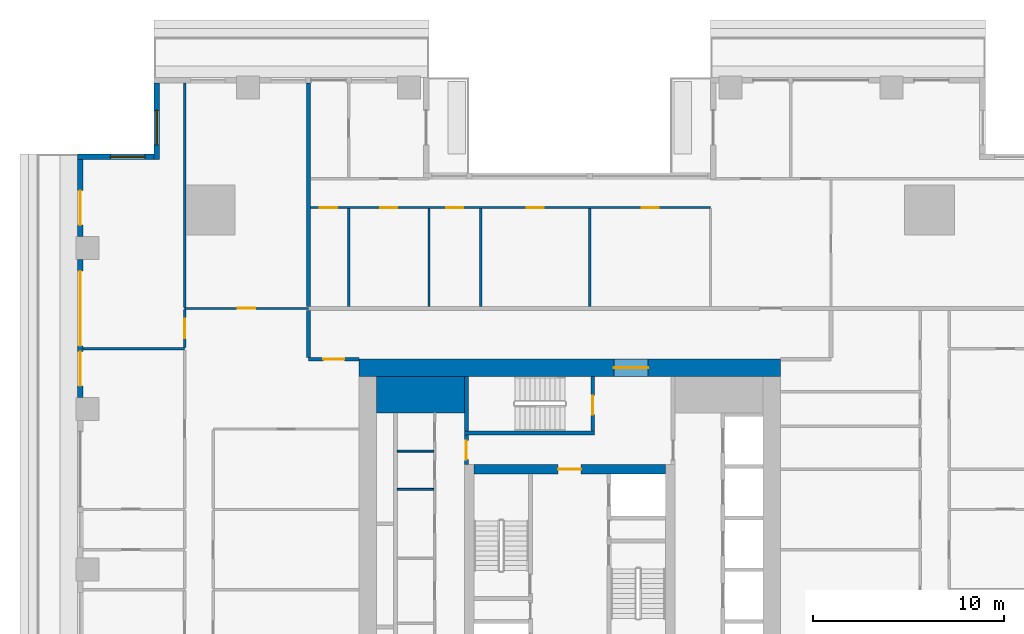
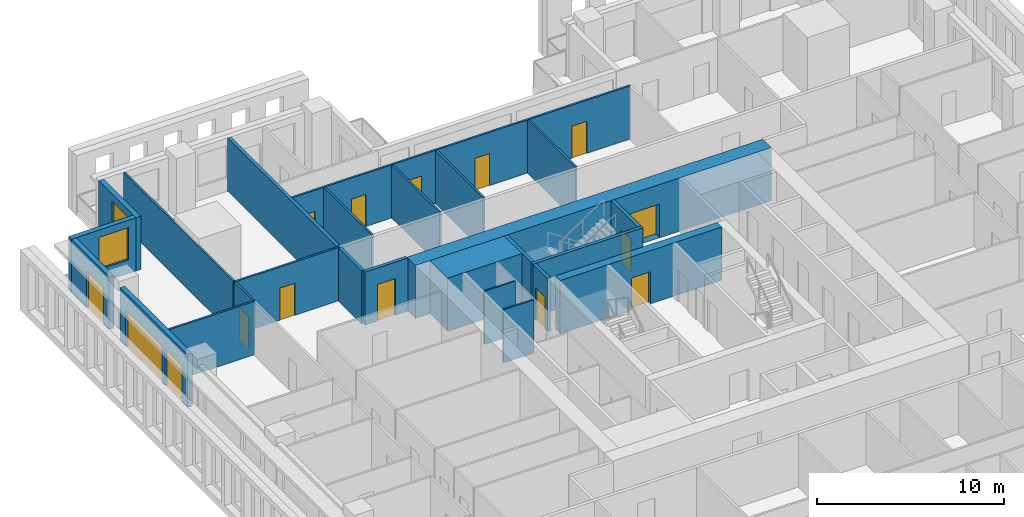
# One storey, part 7 of 16: 25 walls, 15 doors, 2 windows, 17 openings.
"""IFC4 building model written with IfcOpenShell, lengths in metres."""

from ifc_helpers import new_model, si_unit, direction, frame, frame_2d, origin, place, context, subcontext, project, spatial, rectangle, extrude, material, layer, layer_set, type_object, element, fill, save


model = new_model("IFC4")

# Units and contexts
model_context = context("Model", 3, precision=1e-05, world=origin(), true_north=direction((0.0, 1.0)))
body_context = subcontext(model_context, "Body", "Model", "MODEL_VIEW")
ifc_project = project(units=[si_unit("LENGTHUNIT", "METRE"), si_unit("AREAUNIT", "SQUARE_METRE"), si_unit("VOLUMEUNIT", "CUBIC_METRE"), si_unit("PLANEANGLEUNIT", "RADIAN"), si_unit("MASSUNIT", "GRAM", prefix="KILO")], contexts=[model_context])

# Site, building, storey
site_placement = place(None, origin())
site = spatial("IfcSite", under=ifc_project, at=site_placement, CompositionType="ELEMENT")
building_placement = place(site_placement, origin())
building = spatial("IfcBuilding", under=site, at=building_placement, Name="Khepri Terraces", CompositionType="ELEMENT")
storey_placement = place(building_placement, frame((0.0, 0.0, 149.39990234375)))
storey = spatial("IfcBuildingStorey", under=building, at=storey_placement, Name="L35", CompositionType="ELEMENT", Elevation=149.39990234375)

# Walls
ifc_material_1 = material(Name="Concrete C60/75", Category="concrete")
ifc_layer_1 = layer(ifc_material_1, 1.89990234375, Name="Concrete C60/75", Category="concrete")
ifc_layer_set_1 = layer_set([ifc_layer_1], Name="Concrete C60/75")
wall_type_1 = type_object("IfcWallType", Name="Core wall 1900 C60/75", PredefinedType="SHEAR", material=ifc_layer_set_1)
wall_1_placement = place(storey_placement, frame((-10.10009765625, 9.14990234375, 0.0), z_axis=(0.0, 0.0, 1.0), x_axis=(1.0, 0.0, 0.0)))
element("IfcWall", 1, at=wall_1_placement, inside=storey, type_object=wall_type_1, Name="Core wall PR03 L35", PredefinedType="SHEAR", context=body_context, shape_type="SweptSolid", body=[
    extrude(rectangle(XDim=4.60009765625, YDim=1.89990234375, at=frame_2d((2.300048828125, 0.0))), origin(), (0.0, 0.0, 1.0), 3.47998046875),
])
ifc_layer_2 = layer(ifc_material_1, 0.199951171875, Name="Concrete C60/75", Category="concrete")
ifc_layer_set_2 = layer_set([ifc_layer_2], Name="Concrete C60/75")
wall_type_2 = type_object("IfcWallType", Name="Core wall 200 C60/75", PredefinedType="SHEAR", material=ifc_layer_set_2)
wall_2_placement = place(storey_placement, frame((-5.5, 7.14990234375, 0.0), z_axis=(0.0, 0.0, 1.0), x_axis=(1.0, 0.0, 0.0)))
element("IfcWall", 2, at=wall_2_placement, inside=storey, type_object=wall_type_2, Name="Core wall ST05 L35", PredefinedType="SHEAR", context=body_context, shape_type="SweptSolid", body=[
    extrude(rectangle(XDim=6.800048828125, YDim=0.199951171875, at=frame_2d((3.39990234375, 0.0))), origin(), (0.0, 0.0, 1.0), 3.47998046875),
])
wall_3_placement = place(storey_placement, frame((-5.39990234375, 7.25, 0.0), z_axis=(0.0, 0.0, 1.0), x_axis=(0.0, 1.0, 0.0)))
element("IfcWall", 3, at=wall_3_placement, inside=storey, type_object=wall_type_2, Name="Core wall ST06 L35", PredefinedType="SHEAR", context=body_context, shape_type="SweptSolid", body=[
    extrude(rectangle(XDim=2.85009765625, YDim=0.199951171875, at=frame_2d((1.425048828125, 0.0))), origin(), (0.0, 0.0, 1.0), 3.47998046875),
])

# Wall, opening, door
wall_4_placement = place(storey_placement, frame((1.199951171875, 7.25, 0.0), z_axis=(0.0, 0.0, 1.0), x_axis=(0.0, 1.0, 0.0)))
wall_4 = element("IfcWall", 4, at=wall_4_placement, inside=storey, type_object=wall_type_2, Name="Core wall ST07 L35", PredefinedType="SHEAR", context=body_context, shape_type="SweptSolid", body=[
    extrude(rectangle(XDim=2.85009765625, YDim=0.199951171875, at=frame_2d((1.425048828125, 0.0))), origin(), (0.0, 0.0, 1.0), 3.47998046875),
])
opening_1_placement = place(wall_4_placement, frame((0.85009765625, 0.0, 0.0)))
opening_1 = element("IfcOpeningElement", 5, at=opening_1_placement, cuts=wall_4, Name="Opening L35-C15", PredefinedType="OPENING", context=body_context, shape_type="SweptSolid", body=[
    extrude(rectangle(XDim=1.0, YDim=2.10009765625, at=frame_2d((0.5, 1.050048828125))), frame((0.0, 0.10986328125, 0.0), z_axis=(0.0, -1.0, 0.0), x_axis=(1.0, 0.0, 0.0)), (0.0, 0.0, 1.0), 0.219970703125),
])
ifc_material_2 = material(Name="Painted steel", Category="steel")
door_type_1 = type_object("IfcDoorType", Name="DR-CORE-STAIR-1000", OperationType="NOTDEFINED", PredefinedType="DOOR", material=ifc_material_2)
door_1_placement = place(opening_1_placement, origin())
door_1 = element("IfcDoor", 6, at=door_1_placement, inside=storey, type_object=door_type_1, Name="Stair door L35-C15", OperationType="SINGLE_SWING_LEFT", OverallHeight=2.10009765625, OverallWidth=1.0, PredefinedType="DOOR", context=body_context, shape_type="SweptSolid", body=[
    extrude(rectangle(XDim=1.0, YDim=2.10009765625, at=frame_2d((0.5, 1.050048828125))), frame((0.0, 0.02490234375, 0.0), z_axis=(0.0, -1.0, 0.0), x_axis=(1.0, 0.0, 0.0)), (0.0, 0.0, 1.0), 0.050048828125),
])
fill(opening_1, door_1)

ifc_layer_3 = layer(ifc_material_1, 0.5, Name="Concrete C60/75", Category="concrete")
ifc_layer_set_3 = layer_set([ifc_layer_3], Name="Concrete C60/75")
wall_type_3 = type_object("IfcWallType", Name="Core wall 500 C60/75", PredefinedType="SHEAR", material=ifc_layer_set_3)
wall_5_placement = place(storey_placement, frame((-5.0, 5.25, 0.0), z_axis=(0.0, 0.0, 1.0), x_axis=(1.0, 0.0, 0.0)))
wall_5 = element("IfcWall", 7, at=wall_5_placement, inside=storey, type_object=wall_type_3, Name="Core wall BX04 L35", PredefinedType="SHEAR", context=body_context, shape_type="SweptSolid", body=[
    extrude(rectangle(XDim=10.0, YDim=0.5, at=frame_2d((5.0, 0.0))), origin(), (0.0, 0.0, 1.0), 3.47998046875),
])
opening_2_placement = place(wall_5_placement, frame((4.39990234375, 0.0, 0.0)))
opening_2 = element("IfcOpeningElement", 8, at=opening_2_placement, cuts=wall_5, Name="Opening L35-C13", PredefinedType="OPENING", context=body_context, shape_type="SweptSolid", body=[
    extrude(rectangle(XDim=1.199951171875, YDim=2.10009765625, at=frame_2d((0.60009765625, 1.050048828125))), frame((0.0, 0.260009765625, 0.0), z_axis=(0.0, -1.0, 0.0), x_axis=(1.0, 0.0, 0.0)), (0.0, 0.0, 1.0), 0.52001953125),
])
door_type_2 = type_object("IfcDoorType", Name="DR-CORE-FF-LOBBY-1200", OperationType="NOTDEFINED", PredefinedType="DOOR", material=ifc_material_2)
door_2_placement = place(opening_2_placement, frame((1.199951171875, 0.0, 0.0), z_axis=(0.0, 0.0, 1.0), x_axis=(-1.0, 0.0, 0.0)))
door_2 = element("IfcDoor", 9, at=door_2_placement, inside=storey, type_object=door_type_2, Name="Firefighting lobby door L35-C13", OperationType="SINGLE_SWING_LEFT", OverallHeight=2.10009765625, OverallWidth=1.199951171875, PredefinedType="DOOR", context=body_context, shape_type="SweptSolid", body=[
    extrude(rectangle(XDim=1.199951171875, YDim=2.10009765625, at=frame_2d((0.60009765625, 1.050048828125))), frame((0.0, 0.02490234375, 0.0), z_axis=(0.0, -1.0, 0.0), x_axis=(1.0, 0.0, 0.0)), (0.0, 0.0, 1.0), 0.050048828125),
])
fill(opening_2, door_2)

ifc_layer_4 = layer(ifc_material_1, 0.89990234375, Name="Concrete C60/75", Category="concrete")
ifc_layer_set_4 = layer_set([ifc_layer_4], Name="Concrete C60/75")
wall_type_4 = type_object("IfcWallType", Name="Core wall 900 C60/75", PredefinedType="SHEAR", material=ifc_layer_set_4)
wall_6_placement = place(storey_placement, frame((-11.0, 10.550048828125, 0.0), z_axis=(0.0, 0.0, 1.0), x_axis=(1.0, 0.0, 0.0)))
wall_6 = element("IfcWall", 10, at=wall_6_placement, inside=storey, type_object=wall_type_4, Name="Core wall OW-N L35", PredefinedType="SHEAR", context=body_context, shape_type="SweptSolid", body=[
    extrude(rectangle(XDim=22.0, YDim=0.89990234375, at=frame_2d((11.0, 0.0))), origin(), (0.0, 0.0, 1.0), 3.47998046875),
])
opening_3_placement = place(wall_6_placement, frame((13.300048828125, 0.0, 0.0)))
opening_3 = element("IfcOpeningElement", 11, at=opening_3_placement, cuts=wall_6, Name="Opening L35-C20", PredefinedType="OPENING", context=body_context, shape_type="SweptSolid", body=[
    extrude(rectangle(XDim=1.800048828125, YDim=2.199951171875, at=frame_2d((0.89990234375, 1.10009765625))), frame((0.0, 0.4599609375, 0.0), z_axis=(0.0, -1.0, 0.0), x_axis=(1.0, 0.0, 0.0)), (0.0, 0.0, 1.0), 0.919921875),
])
door_type_3 = type_object("IfcDoorType", Name="DR-CORE-ENTRANCE-1800", OperationType="NOTDEFINED", PredefinedType="DOOR", material=ifc_material_2)
door_3_placement = place(opening_3_placement, origin())
door_3 = element("IfcDoor", 12, at=door_3_placement, inside=storey, type_object=door_type_3, Name="Core entrance door pair L35-C20", OperationType="DOUBLE_DOOR_SINGLE_SWING", OverallHeight=2.199951171875, OverallWidth=1.800048828125, PredefinedType="DOOR", context=body_context, shape_type="SweptSolid", body=[
    extrude(rectangle(XDim=1.800048828125, YDim=2.199951171875, at=frame_2d((0.89990234375, 1.10009765625))), frame((0.0, 0.02490234375, 0.0), z_axis=(0.0, -1.0, 0.0), x_axis=(1.0, 0.0, 0.0)), (0.0, 0.0, 1.0), 0.050048828125),
])
fill(opening_3, door_3)

# Walls
ifc_material_3 = material(Name="Fire-rated gypsum board partition")
ifc_layer_5 = layer(ifc_material_3, 0.10009765625, Name="Fire-rated gypsum board partition")
ifc_layer_set_5 = layer_set([ifc_layer_5], Name="Fire-rated gypsum board partition")
wall_type_5 = type_object("IfcWallType", Name="WL-CORE-PART-100", PredefinedType="PARTITIONING", material=ifc_layer_set_5)
for number, where, z_axis, x_axis, name in (
    (13, (-9.0, 4.199951171875, 0.0), (0.0, 0.0, 1.0), (1.0, 0.0, 0.0), "Core partition PT11 L35"),
    (14, (-9.0, 6.199951171875, 0.0), (0.0, 0.0, 1.0), (1.0, 0.0, 0.0), "Core partition PT14 L35"),
):
    element("IfcWall", number, at=place(storey_placement, frame(where, z_axis=z_axis, x_axis=x_axis)), inside=storey, type_object=wall_type_5, Name=name, PredefinedType="PARTITIONING", context=body_context, shape_type="SweptSolid", body=[
        extrude(rectangle(XDim=1.89990234375, YDim=0.10009765625, at=frame_2d((0.949951171875, 0.0))), origin(), (0.0, 0.0, 1.0), 3.47998046875),
    ])

# Wall, opening, door
ifc_layer_6 = layer(ifc_material_3, 0.199951171875, Name="Fire-rated gypsum board partition")
ifc_layer_set_6 = layer_set([ifc_layer_6], Name="Fire-rated gypsum board partition")
wall_type_6 = type_object("IfcWallType", Name="WL-CORE-PART-200", PredefinedType="PARTITIONING", material=ifc_layer_set_6)
wall_7_placement = place(storey_placement, frame((-5.39990234375, 5.5, 0.0), z_axis=(0.0, 0.0, 1.0), x_axis=(0.0, 1.0, 0.0)))
wall_7 = element("IfcWall", 15, at=wall_7_placement, inside=storey, type_object=wall_type_6, Name="Core partition PT12 L35", PredefinedType="PARTITIONING", context=body_context, shape_type="SweptSolid", body=[
    extrude(rectangle(XDim=1.550048828125, YDim=0.199951171875, at=frame_2d((0.77490234375, 0.0))), origin(), (0.0, 0.0, 1.0), 3.47998046875),
])
opening_4_placement = place(wall_7_placement, frame((0.25, 0.0, 0.0)))
opening_4 = element("IfcOpeningElement", 16, at=opening_4_placement, cuts=wall_7, Name="Opening L35-C16", PredefinedType="OPENING", context=body_context, shape_type="SweptSolid", body=[
    extrude(rectangle(XDim=1.0, YDim=2.10009765625, at=frame_2d((0.5, 1.050048828125))), frame((0.0, 0.10986328125, 0.0), z_axis=(0.0, -1.0, 0.0), x_axis=(1.0, 0.0, 0.0)), (0.0, 0.0, 1.0), 0.219970703125),
])
door_type_4 = type_object("IfcDoorType", Name="DR-CORE-LOBBY-1000", OperationType="NOTDEFINED", PredefinedType="DOOR", material=ifc_material_2)
door_4_placement = place(opening_4_placement, frame((1.0, 0.0, 0.0), z_axis=(0.0, 0.0, 1.0), x_axis=(-1.0, 0.0, 0.0)))
door_4 = element("IfcDoor", 17, at=door_4_placement, inside=storey, type_object=door_type_4, Name="Lobby door L35-C16", OperationType="SINGLE_SWING_RIGHT", OverallHeight=2.10009765625, OverallWidth=1.0, PredefinedType="DOOR", context=body_context, shape_type="SweptSolid", body=[
    extrude(rectangle(XDim=1.0, YDim=2.10009765625, at=frame_2d((0.5, 1.050048828125))), frame((0.0, 0.02490234375, 0.0), z_axis=(0.0, -1.0, 0.0), x_axis=(1.0, 0.0, 0.0)), (0.0, 0.0, 1.0), 0.050048828125),
])
fill(opening_4, door_4)

ifc_material_4 = material(Name="Fire-rated gypsum plasterboard partition, mineral wool")
ifc_layer_7 = layer(ifc_material_4, 0.199951171875, Name="Fire-rated gypsum plasterboard partition, mineral wool")
ifc_layer_set_7 = layer_set([ifc_layer_7], Name="Fire-rated gypsum plasterboard partition, mineral wool")
wall_type_7 = type_object("IfcWallType", Name="WL-CORR-200", PredefinedType="PARTITIONING", material=ifc_layer_set_7)
wall_8_placement = place(storey_placement, frame((-13.64990234375, 11.0, 0.0), z_axis=(0.0, 0.0, 1.0), x_axis=(1.0, 0.0, 0.0)))
wall_8 = element("IfcWall", 18, at=wall_8_placement, inside=storey, type_object=wall_type_7, Name="Partition P-075 L35", PredefinedType="PARTITIONING", context=body_context, shape_type="SweptSolid", body=[
    extrude(rectangle(XDim=2.64990234375, YDim=0.199951171875, at=frame_2d((1.324951171875, 0.0))), origin(), (0.0, 0.0, 1.0), 3.47998046875),
])
opening_5_placement = place(wall_8_placement, frame((0.77490234375, 0.0, 0.0)))
opening_5 = element("IfcOpeningElement", 19, at=opening_5_placement, cuts=wall_8, Name="Opening D1", PredefinedType="OPENING", context=body_context, shape_type="SweptSolid", body=[
    extrude(rectangle(XDim=1.10009765625, YDim=2.39990234375, at=frame_2d((0.550048828125, 1.199951171875))), frame((0.0, 0.10986328125, 0.0), z_axis=(0.0, -1.0, 0.0), x_axis=(1.0, 0.0, 0.0)), (0.0, 0.0, 1.0), 0.219970703125),
])
ifc_material_5 = material(Name="Solid-core timber door leaf, flat entrance door", Category="wood")
door_type_5 = type_object("IfcDoorType", Name="DR-ENT-1100", OperationType="NOTDEFINED", PredefinedType="DOOR", material=ifc_material_5)
door_5_placement = place(opening_5_placement, frame((1.10009765625, 0.0, 0.0), z_axis=(0.0, 0.0, 1.0), x_axis=(-1.0, 0.0, 0.0)))
door_5 = element("IfcDoor", 20, at=door_5_placement, inside=storey, type_object=door_type_5, Name="Flat D1 entrance door", OperationType="SINGLE_SWING_LEFT", OverallHeight=2.39990234375, OverallWidth=1.10009765625, PredefinedType="DOOR", context=body_context, shape_type="SweptSolid", body=[
    extrude(rectangle(XDim=1.10009765625, YDim=2.39990234375, at=frame_2d((0.550048828125, 1.199951171875))), frame((0.0, 0.02490234375, 0.0), z_axis=(0.0, -1.0, 0.0), x_axis=(1.0, 0.0, 0.0)), (0.0, 0.0, 1.0), 0.050048828125),
])
fill(opening_5, door_5)

# Walls
wall_9_placement = place(storey_placement, frame((-13.64990234375, 11.10009765625, 0.0), z_axis=(0.0, 0.0, 1.0), x_axis=(0.0, 1.0, 0.0)))
element("IfcWall", 21, at=wall_9_placement, inside=storey, type_object=wall_type_7, Name="Partition P-077 L35", PredefinedType="PARTITIONING", context=body_context, shape_type="SweptSolid", body=[
    extrude(rectangle(XDim=2.449951171875, YDim=0.199951171875, at=frame_2d((1.22509765625, 0.0))), origin(), (0.0, 0.0, 1.0), 3.47998046875),
])
wall_10_placement = place(storey_placement, frame((-13.64990234375, 13.75, 0.0), z_axis=(0.0, 0.0, 1.0), x_axis=(0.0, 1.0, 0.0)))
element("IfcWall", 22, at=wall_10_placement, inside=storey, type_object=wall_type_7, Name="Partition P-086 L35", PredefinedType="PARTITIONING", context=body_context, shape_type="SweptSolid", body=[
    extrude(rectangle(XDim=11.669921875, YDim=0.199951171875, at=frame_2d((5.8349609375, 0.0))), origin(), (0.0, 0.0, 1.0), 3.47998046875),
])

# Wall, opening, window
ifc_material_6 = material(Name="Precast concrete C50/60 warm stone", Category="masonry")
ifc_layer_8 = layer(ifc_material_6, 0.300048828125, Name="Precast concrete C50/60 warm stone", Category="masonry")
ifc_layer_set_8 = layer_set([ifc_layer_8], Name="Precast concrete C50/60 warm stone")
wall_type_8 = type_object("IfcWallType", Name="WL-EXT-PRECAST-300", PredefinedType="STANDARD", material=ifc_layer_set_8)
wall_11_placement = place(storey_placement, frame((-21.570068359375, 25.419921875, 0.0), z_axis=(0.0, 0.0, 1.0), x_axis=(0.0, -1.0, 0.0)))
wall_11 = element("IfcWall", 23, at=wall_11_placement, inside=storey, type_object=wall_type_8, Name="External wall L35 W", PredefinedType="STANDARD", context=body_context, shape_type="SweptSolid", body=[
    extrude(rectangle(XDim=4.0, YDim=0.300048828125, at=frame_2d((2.0, 0.0))), origin(), (0.0, 0.0, 1.0), 3.47998046875),
])
opening_6_placement = place(wall_11_placement, frame((1.419921875, 0.0, 0.89990234375)))
opening_6 = element("IfcOpeningElement", 24, at=opening_6_placement, cuts=wall_11, Name="Opening W1", PredefinedType="OPENING", context=body_context, shape_type="SweptSolid", body=[
    extrude(rectangle(XDim=1.800048828125, YDim=2.10009765625, at=frame_2d((0.89990234375, 1.050048828125))), frame((0.0, 0.16015625, 0.0), z_axis=(0.0, -1.0, 0.0), x_axis=(1.0, 0.0, 0.0)), (0.0, 0.0, 1.0), 0.320068359375),
])
ifc_material_7 = material(Name="Clear glass", Category="glass")
window_type = type_object("IfcWindowType", Name="WIN-RES-1800x2100", PartitioningType="SINGLE_PANEL", PredefinedType="WINDOW", material=ifc_material_7)
window_1_placement = place(opening_6_placement, origin())
window_1 = element("IfcWindow", 25, at=window_1_placement, inside=storey, type_object=window_type, Name="Window L35 W", OverallHeight=2.10009765625, OverallWidth=1.800048828125, PartitioningType="SINGLE_PANEL", PredefinedType="WINDOW", context=body_context, shape_type="SweptSolid", body=[
    extrude(rectangle(XDim=1.800048828125, YDim=2.10009765625, at=frame_2d((0.89990234375, 1.050048828125))), frame((0.0, 0.030029296875, 0.0), z_axis=(0.0, -1.0, 0.0), x_axis=(1.0, 0.0, 0.0)), (0.0, 0.0, 1.0), 0.06005859375),
])
fill(opening_6, window_1)

wall_12_placement = place(storey_placement, frame((-21.719970703125, 21.570068359375, 0.0), z_axis=(0.0, 0.0, 1.0), x_axis=(-1.0, 0.0, 0.0)))
wall_12 = element("IfcWall", 26, at=wall_12_placement, inside=storey, type_object=wall_type_8, Name="External wall L35 N", PredefinedType="STANDARD", context=body_context, shape_type="SweptSolid", body=[
    extrude(rectangle(XDim=4.0, YDim=0.300048828125, at=frame_2d((2.0, 0.0))), origin(), (0.0, 0.0, 1.0), 3.47998046875),
])
opening_7_placement = place(wall_12_placement, frame((0.47998046875, 0.0, 0.89990234375)))
opening_7 = element("IfcOpeningElement", 27, at=opening_7_placement, cuts=wall_12, Name="Opening W1", PredefinedType="OPENING", context=body_context, shape_type="SweptSolid", body=[
    extrude(rectangle(XDim=1.800048828125, YDim=2.10009765625, at=frame_2d((0.89990234375, 1.050048828125))), frame((0.0, 0.16015625, 0.0), z_axis=(0.0, -1.0, 0.0), x_axis=(1.0, 0.0, 0.0)), (0.0, 0.0, 1.0), 0.320068359375),
])
window_2_placement = place(opening_7_placement, origin())
window_2 = element("IfcWindow", 28, at=window_2_placement, inside=storey, type_object=window_type, Name="Window L35 N", OverallHeight=2.10009765625, OverallWidth=1.800048828125, PartitioningType="SINGLE_PANEL", PredefinedType="WINDOW", context=body_context, shape_type="SweptSolid", body=[
    extrude(rectangle(XDim=1.800048828125, YDim=2.10009765625, at=frame_2d((0.89990234375, 1.050048828125))), frame((0.0, 0.030029296875, 0.0), z_axis=(0.0, -1.0, 0.0), x_axis=(1.0, 0.0, 0.0)), (0.0, 0.0, 1.0), 0.06005859375),
])
fill(opening_7, window_2)

# Wall, opening, door
wall_13_placement = place(storey_placement, frame((-25.570068359375, 21.419921875, 0.0), z_axis=(0.0, 0.0, 1.0), x_axis=(0.0, -1.0, 0.0)))
wall_13 = element("IfcWall", 29, at=wall_13_placement, inside=storey, type_object=wall_type_8, Name="External wall L35 W", PredefinedType="STANDARD", context=body_context, shape_type="SweptSolid", body=[
    extrude(rectangle(XDim=4.02001953125, YDim=0.300048828125, at=frame_2d((2.010009765625, 0.0))), origin(), (0.0, 0.0, 1.0), 3.47998046875),
])
opening_8_placement = place(wall_13_placement, frame((1.6201171875, 0.0, 0.0)))
opening_8 = element("IfcOpeningElement", 30, at=opening_8_placement, cuts=wall_13, Name="Opening ED-L35-11", PredefinedType="OPENING", context=body_context, shape_type="SweptSolid", body=[
    extrude(rectangle(XDim=1.800048828125, YDim=2.39990234375, at=frame_2d((0.89990234375, 1.199951171875))), frame((0.0, 0.16015625, 0.0), z_axis=(0.0, -1.0, 0.0), x_axis=(1.0, 0.0, 0.0)), (0.0, 0.0, 1.0), 0.320068359375),
])
ifc_material_8 = material(Name="Anodised aluminium bronze glazed door", Category="aluminium")
door_type_6 = type_object("IfcDoorType", Name="DR-BAL-SLIDE-1800x2400", OperationType="NOTDEFINED", PredefinedType="DOOR", material=ifc_material_8)
door_6_placement = place(opening_8_placement, origin())
door_6 = element("IfcDoor", 31, at=door_6_placement, inside=storey, type_object=door_type_6, Name="Balcony door L35 W", OperationType="SLIDING_TO_RIGHT", OverallHeight=2.39990234375, OverallWidth=1.800048828125, PredefinedType="DOOR", context=body_context, shape_type="SweptSolid", body=[
    extrude(rectangle(XDim=1.800048828125, YDim=2.39990234375, at=frame_2d((0.89990234375, 1.199951171875))), frame((0.0, 0.02490234375, 0.0), z_axis=(0.0, -1.0, 0.0), x_axis=(1.0, 0.0, 0.0)), (0.0, 0.0, 1.0), 0.050048828125),
])
fill(opening_8, door_6)

# Wall, openings, doors
wall_14_placement = place(storey_placement, frame((-25.570068359375, 16.199951171875, 0.0), z_axis=(0.0, 0.0, 1.0), x_axis=(0.0, -1.0, 0.0)))
wall_14 = element("IfcWall", 32, at=wall_14_placement, inside=storey, type_object=wall_type_8, Name="External wall L35 W", PredefinedType="STANDARD", context=body_context, shape_type="SweptSolid", body=[
    extrude(rectangle(XDim=7.199951171875, YDim=0.300048828125, at=frame_2d((3.60009765625, 0.0))), origin(), (0.0, 0.0, 1.0), 3.47998046875),
])
opening_9_placement = place(wall_14_placement, frame((0.60009765625, 0.0, 0.0)))
opening_9 = element("IfcOpeningElement", 33, at=opening_9_placement, cuts=wall_14, Name="Opening ED-L35-12", PredefinedType="OPENING", context=body_context, shape_type="SweptSolid", body=[
    extrude(rectangle(XDim=3.89990234375, YDim=2.39990234375, at=frame_2d((1.949951171875, 1.199951171875))), frame((0.0, 0.16015625, 0.0), z_axis=(0.0, -1.0, 0.0), x_axis=(1.0, 0.0, 0.0)), (0.0, 0.0, 1.0), 0.320068359375),
])
opening_10_placement = place(wall_14_placement, frame((4.800048828125, 0.0, 0.0)))
opening_10 = element("IfcOpeningElement", 34, at=opening_10_placement, cuts=wall_14, Name="Opening ED-L35-13", PredefinedType="OPENING", context=body_context, shape_type="SweptSolid", body=[
    extrude(rectangle(XDim=1.800048828125, YDim=2.39990234375, at=frame_2d((0.89990234375, 1.199951171875))), frame((0.0, 0.16015625, 0.0), z_axis=(0.0, -1.0, 0.0), x_axis=(1.0, 0.0, 0.0)), (0.0, 0.0, 1.0), 0.320068359375),
])
door_7_placement = place(opening_10_placement, origin())
door_7 = element("IfcDoor", 35, at=door_7_placement, inside=storey, type_object=door_type_6, Name="Balcony door L35 W", OperationType="SLIDING_TO_RIGHT", OverallHeight=2.39990234375, OverallWidth=1.800048828125, PredefinedType="DOOR", context=body_context, shape_type="SweptSolid", body=[
    extrude(rectangle(XDim=1.800048828125, YDim=2.39990234375, at=frame_2d((0.89990234375, 1.199951171875))), frame((0.0, 0.02490234375, 0.0), z_axis=(0.0, -1.0, 0.0), x_axis=(1.0, 0.0, 0.0)), (0.0, 0.0, 1.0), 0.050048828125),
])
fill(opening_10, door_7)
door_type_7 = type_object("IfcDoorType", Name="DR-BAL-SLIDE-3900x2400", OperationType="NOTDEFINED", PredefinedType="DOOR", material=ifc_material_8)
door_8_placement = place(opening_9_placement, origin())
door_8 = element("IfcDoor", 36, at=door_8_placement, inside=storey, type_object=door_type_7, Name="Balcony door L35 W", OperationType="SLIDING_TO_LEFT", OverallHeight=2.39990234375, OverallWidth=3.89990234375, PredefinedType="DOOR", context=body_context, shape_type="SweptSolid", body=[
    extrude(rectangle(XDim=3.89990234375, YDim=2.39990234375, at=frame_2d((1.949951171875, 1.199951171875))), frame((0.0, 0.02490234375, 0.0), z_axis=(0.0, -1.0, 0.0), x_axis=(1.0, 0.0, 0.0)), (0.0, 0.0, 1.0), 0.050048828125),
])
fill(opening_9, door_8)

# Wall
ifc_material_9 = material(Name="Gypsum plasterboard partition")
ifc_layer_9 = layer(ifc_material_9, 0.1201171875, Name="Gypsum plasterboard partition")
ifc_layer_set_9 = layer_set([ifc_layer_9], Name="Gypsum plasterboard partition")
wall_type_9 = type_object("IfcWallType", Name="WL-PART-120", PredefinedType="PARTITIONING", material=ifc_layer_set_9)
wall_15_placement = place(storey_placement, frame((-25.419921875, 11.550048828125, 0.0), z_axis=(0.0, 0.0, 1.0), x_axis=(1.0, 0.0, 0.0)))
element("IfcWall", 37, at=wall_15_placement, inside=storey, type_object=wall_type_9, Name="Partition P-079 L35", PredefinedType="PARTITIONING", context=body_context, shape_type="SweptSolid", body=[
    extrude(rectangle(XDim=5.2998046875, YDim=0.1201171875, at=frame_2d((2.64990234375, 0.0))), origin(), (0.0, 0.0, 1.0), 3.47998046875),
])

# Wall, opening, door
wall_16_placement = place(storey_placement, frame((-20.1201171875, 11.610107421875, 0.0), z_axis=(0.0, 0.0, 1.0), x_axis=(0.0, 1.0, 0.0)))
wall_16 = element("IfcWall", 38, at=wall_16_placement, inside=storey, type_object=wall_type_9, Name="Partition P-081 L35", PredefinedType="PARTITIONING", context=body_context, shape_type="SweptSolid", body=[
    extrude(rectangle(XDim=1.97998046875, YDim=0.1201171875, at=frame_2d((0.989990234375, 0.0))), origin(), (0.0, 0.0, 1.0), 3.47998046875),
])
opening_11_placement = place(wall_16_placement, frame((0.489990234375, 0.0, 0.0)))
opening_11 = element("IfcOpeningElement", 39, at=opening_11_placement, cuts=wall_16, Name="Opening D2", PredefinedType="OPENING", context=body_context, shape_type="SweptSolid", body=[
    extrude(rectangle(XDim=1.0, YDim=2.10009765625, at=frame_2d((0.5, 1.050048828125))), frame((0.0, 0.070068359375, 0.0), z_axis=(0.0, -1.0, 0.0), x_axis=(1.0, 0.0, 0.0)), (0.0, 0.0, 1.0), 0.14013671875),
])
ifc_material_10 = material(Name="Timber door leaf, living room door", Category="wood")
door_type_8 = type_object("IfcDoorType", Name="DR-INT-1000", OperationType="NOTDEFINED", PredefinedType="DOOR", material=ifc_material_10)
door_9_placement = place(opening_11_placement, origin())
door_9 = element("IfcDoor", 40, at=door_9_placement, inside=storey, type_object=door_type_8, Name="Door Living Room", OperationType="SINGLE_SWING_RIGHT", OverallHeight=2.10009765625, OverallWidth=1.0, PredefinedType="DOOR", context=body_context, shape_type="SweptSolid", body=[
    extrude(rectangle(XDim=1.0, YDim=2.10009765625, at=frame_2d((0.5, 1.050048828125))), frame((0.0, 0.02490234375, 0.0), z_axis=(0.0, -1.0, 0.0), x_axis=(1.0, 0.0, 0.0)), (0.0, 0.0, 1.0), 0.050048828125),
])
fill(opening_11, door_9)

wall_17_placement = place(storey_placement, frame((-20.1201171875, 13.64990234375, 0.0), z_axis=(0.0, 0.0, 1.0), x_axis=(1.0, 0.0, 0.0)))
wall_17 = element("IfcWall", 41, at=wall_17_placement, inside=storey, type_object=wall_type_9, Name="Partition P-083 L35", PredefinedType="PARTITIONING", context=body_context, shape_type="SweptSolid", body=[
    extrude(rectangle(XDim=6.47021484375, YDim=0.1201171875, at=frame_2d((3.235107421875, 0.0))), origin(), (0.0, 0.0, 1.0), 3.47998046875),
])
opening_12_placement = place(wall_17_placement, frame((2.784912109375, 0.0, 0.0)))
opening_12 = element("IfcOpeningElement", 42, at=opening_12_placement, cuts=wall_17, Name="Opening D3", PredefinedType="OPENING", context=body_context, shape_type="SweptSolid", body=[
    extrude(rectangle(XDim=0.89990234375, YDim=2.10009765625, at=frame_2d((0.449951171875, 1.050048828125))), frame((0.0, 0.070068359375, 0.0), z_axis=(0.0, -1.0, 0.0), x_axis=(1.0, 0.0, 0.0)), (0.0, 0.0, 1.0), 0.14013671875),
])
ifc_material_11 = material(Name="Timber door leaf", Category="wood")
door_type_9 = type_object("IfcDoorType", Name="DR-INT-900", OperationType="NOTDEFINED", PredefinedType="DOOR", material=ifc_material_11)
door_10_placement = place(opening_12_placement, origin())
door_10 = element("IfcDoor", 43, at=door_10_placement, inside=storey, type_object=door_type_9, Name="Door Home Cinema", OperationType="SINGLE_SWING_LEFT", OverallHeight=2.10009765625, OverallWidth=0.89990234375, PredefinedType="DOOR", context=body_context, shape_type="SweptSolid", body=[
    extrude(rectangle(XDim=0.89990234375, YDim=2.10009765625, at=frame_2d((0.449951171875, 1.050048828125))), frame((0.0, 0.02490234375, 0.0), z_axis=(0.0, -1.0, 0.0), x_axis=(1.0, 0.0, 0.0)), (0.0, 0.0, 1.0), 0.050048828125),
])
fill(opening_12, door_10)

# Walls
wall_18_placement = place(storey_placement, frame((-20.1201171875, 13.7099609375, 0.0), z_axis=(0.0, 0.0, 1.0), x_axis=(0.0, 1.0, 0.0)))
element("IfcWall", 44, at=wall_18_placement, inside=storey, type_object=wall_type_9, Name="Partition P-085 L35", PredefinedType="PARTITIONING", context=body_context, shape_type="SweptSolid", body=[
    extrude(rectangle(XDim=11.7099609375, YDim=0.1201171875, at=frame_2d((5.85498046875, 0.0))), origin(), (0.0, 0.0, 1.0), 3.47998046875),
])
for number, where, z_axis, x_axis, name in (
    (45, (-11.550048828125, 13.75, 0.0), (0.0, 0.0, 1.0), (0.0, 1.0, 0.0), "Partition P-087 L35"),
    (46, (-7.35009765625, 13.75, 0.0), (0.0, 0.0, 1.0), (0.0, 1.0, 0.0), "Partition P-088 L35"),
    (47, (-4.64990234375, 13.75, 0.0), (0.0, 0.0, 1.0), (0.0, 1.0, 0.0), "Partition P-089 L35"),
    (48, (1.050048828125, 13.75, 0.0), (0.0, 0.0, 1.0), (0.0, 1.0, 0.0), "Partition P-090 L35"),
):
    element("IfcWall", number, at=place(storey_placement, frame(where, z_axis=z_axis, x_axis=x_axis)), inside=storey, type_object=wall_type_9, Name=name, PredefinedType="PARTITIONING", context=body_context, shape_type="SweptSolid", body=[
        extrude(rectangle(XDim=5.110107421875, YDim=0.1201171875, at=frame_2d((2.55517578125, 0.0))), origin(), (0.0, 0.0, 1.0), 3.47998046875),
    ])

# Wall, openings, doors
wall_19_placement = place(storey_placement, frame((-13.550048828125, 18.919921875, 0.0), z_axis=(0.0, 0.0, 1.0), x_axis=(1.0, 0.0, 0.0)))
wall_19 = element("IfcWall", 49, at=wall_19_placement, inside=storey, type_object=wall_type_9, Name="Partition P-093 L35", PredefinedType="PARTITIONING", context=body_context, shape_type="SweptSolid", body=[
    extrude(rectangle(XDim=20.900146484375, YDim=0.1201171875, at=frame_2d((10.4501953125, 0.0))), origin(), (0.0, 0.0, 1.0), 3.47998046875),
])
opening_13_placement = place(wall_19_placement, frame((17.300048828125, 0.0, 0.0)))
opening_13 = element("IfcOpeningElement", 50, at=opening_13_placement, cuts=wall_19, Name="Opening D3", PredefinedType="OPENING", context=body_context, shape_type="SweptSolid", body=[
    extrude(rectangle(XDim=0.89990234375, YDim=2.10009765625, at=frame_2d((0.449951171875, 1.050048828125))), frame((0.0, 0.070068359375, 0.0), z_axis=(0.0, -1.0, 0.0), x_axis=(1.0, 0.0, 0.0)), (0.0, 0.0, 1.0), 0.14013671875),
])
opening_14_placement = place(wall_19_placement, frame((11.300048828125, 0.0, 0.0)))
opening_14 = element("IfcOpeningElement", 51, at=opening_14_placement, cuts=wall_19, Name="Opening D3", PredefinedType="OPENING", context=body_context, shape_type="SweptSolid", body=[
    extrude(rectangle(XDim=0.89990234375, YDim=2.10009765625, at=frame_2d((0.449951171875, 1.050048828125))), frame((0.0, 0.070068359375, 0.0), z_axis=(0.0, -1.0, 0.0), x_axis=(1.0, 0.0, 0.0)), (0.0, 0.0, 1.0), 0.14013671875),
])
opening_15_placement = place(wall_19_placement, frame((7.10009765625, 0.0, 0.0)))
opening_15 = element("IfcOpeningElement", 52, at=opening_15_placement, cuts=wall_19, Name="Opening D4", PredefinedType="OPENING", context=body_context, shape_type="SweptSolid", body=[
    extrude(rectangle(XDim=0.89990234375, YDim=2.10009765625, at=frame_2d((0.449951171875, 1.050048828125))), frame((0.0, 0.070068359375, 0.0), z_axis=(0.0, -1.0, 0.0), x_axis=(1.0, 0.0, 0.0)), (0.0, 0.0, 1.0), 0.14013671875),
])
opening_16_placement = place(wall_19_placement, frame((3.64990234375, 0.0, 0.0)))
opening_16 = element("IfcOpeningElement", 53, at=opening_16_placement, cuts=wall_19, Name="Opening D4", PredefinedType="OPENING", context=body_context, shape_type="SweptSolid", body=[
    extrude(rectangle(XDim=0.89990234375, YDim=2.10009765625, at=frame_2d((0.449951171875, 1.050048828125))), frame((0.0, 0.070068359375, 0.0), z_axis=(0.0, -1.0, 0.0), x_axis=(1.0, 0.0, 0.0)), (0.0, 0.0, 1.0), 0.14013671875),
])
opening_17_placement = place(wall_19_placement, frame((0.5, 0.0, 0.0)))
opening_17 = element("IfcOpeningElement", 54, at=opening_17_placement, cuts=wall_19, Name="Opening D3", PredefinedType="OPENING", context=body_context, shape_type="SweptSolid", body=[
    extrude(rectangle(XDim=0.89990234375, YDim=2.10009765625, at=frame_2d((0.449951171875, 1.050048828125))), frame((0.0, 0.070068359375, 0.0), z_axis=(0.0, -1.0, 0.0), x_axis=(1.0, 0.0, 0.0)), (0.0, 0.0, 1.0), 0.14013671875),
])
door_11_placement = place(opening_13_placement, frame((0.89990234375, 0.0, 0.0), z_axis=(0.0, 0.0, 1.0), x_axis=(-1.0, 0.0, 0.0)))
door_11 = element("IfcDoor", 55, at=door_11_placement, inside=storey, type_object=door_type_9, Name="Door Kitchen", OperationType="SINGLE_SWING_LEFT", OverallHeight=2.10009765625, OverallWidth=0.89990234375, PredefinedType="DOOR", context=body_context, shape_type="SweptSolid", body=[
    extrude(rectangle(XDim=0.89990234375, YDim=2.10009765625, at=frame_2d((0.449951171875, 1.050048828125))), frame((0.0, 0.02490234375, 0.0), z_axis=(0.0, -1.0, 0.0), x_axis=(1.0, 0.0, 0.0)), (0.0, 0.0, 1.0), 0.050048828125),
])
fill(opening_13, door_11)
door_12_placement = place(opening_14_placement, frame((0.89990234375, 0.0, 0.0), z_axis=(0.0, 0.0, 1.0), x_axis=(-1.0, 0.0, 0.0)))
door_12 = element("IfcDoor", 56, at=door_12_placement, inside=storey, type_object=door_type_9, Name="Door Staff Bedroom", OperationType="SINGLE_SWING_LEFT", OverallHeight=2.10009765625, OverallWidth=0.89990234375, PredefinedType="DOOR", context=body_context, shape_type="SweptSolid", body=[
    extrude(rectangle(XDim=0.89990234375, YDim=2.10009765625, at=frame_2d((0.449951171875, 1.050048828125))), frame((0.0, 0.02490234375, 0.0), z_axis=(0.0, -1.0, 0.0), x_axis=(1.0, 0.0, 0.0)), (0.0, 0.0, 1.0), 0.050048828125),
])
fill(opening_14, door_12)
door_13_placement = place(opening_17_placement, frame((0.89990234375, 0.0, 0.0), z_axis=(0.0, 0.0, 1.0), x_axis=(-1.0, 0.0, 0.0)))
door_13 = element("IfcDoor", 57, at=door_13_placement, inside=storey, type_object=door_type_9, Name="Door Utility Room", OperationType="SINGLE_SWING_RIGHT", OverallHeight=2.10009765625, OverallWidth=0.89990234375, PredefinedType="DOOR", context=body_context, shape_type="SweptSolid", body=[
    extrude(rectangle(XDim=0.89990234375, YDim=2.10009765625, at=frame_2d((0.449951171875, 1.050048828125))), frame((0.0, 0.02490234375, 0.0), z_axis=(0.0, -1.0, 0.0), x_axis=(1.0, 0.0, 0.0)), (0.0, 0.0, 1.0), 0.050048828125),
])
fill(opening_17, door_13)
ifc_material_12 = material(Name="Timber door leaf, moisture resistant", Category="wood")
door_type_10 = type_object("IfcDoorType", Name="DR-WET-900", OperationType="NOTDEFINED", PredefinedType="DOOR", material=ifc_material_12)
door_14_placement = place(opening_15_placement, frame((0.89990234375, 0.0, 0.0), z_axis=(0.0, 0.0, 1.0), x_axis=(-1.0, 0.0, 0.0)))
door_14 = element("IfcDoor", 58, at=door_14_placement, inside=storey, type_object=door_type_10, Name="Door Powder Room", OperationType="SINGLE_SWING_RIGHT", OverallHeight=2.10009765625, OverallWidth=0.89990234375, PredefinedType="DOOR", context=body_context, shape_type="SweptSolid", body=[
    extrude(rectangle(XDim=0.89990234375, YDim=2.10009765625, at=frame_2d((0.449951171875, 1.050048828125))), frame((0.0, 0.02490234375, 0.0), z_axis=(0.0, -1.0, 0.0), x_axis=(1.0, 0.0, 0.0)), (0.0, 0.0, 1.0), 0.050048828125),
])
fill(opening_15, door_14)
door_15_placement = place(opening_16_placement, frame((0.89990234375, 0.0, 0.0), z_axis=(0.0, 0.0, 1.0), x_axis=(-1.0, 0.0, 0.0)))
door_15 = element("IfcDoor", 59, at=door_15_placement, inside=storey, type_object=door_type_10, Name="Door Guest Bathroom", OperationType="SINGLE_SWING_RIGHT", OverallHeight=2.10009765625, OverallWidth=0.89990234375, PredefinedType="DOOR", context=body_context, shape_type="SweptSolid", body=[
    extrude(rectangle(XDim=0.89990234375, YDim=2.10009765625, at=frame_2d((0.449951171875, 1.050048828125))), frame((0.0, 0.02490234375, 0.0), z_axis=(0.0, -1.0, 0.0), x_axis=(1.0, 0.0, 0.0)), (0.0, 0.0, 1.0), 0.050048828125),
])
fill(opening_16, door_15)

save(model, "model.ifc")
